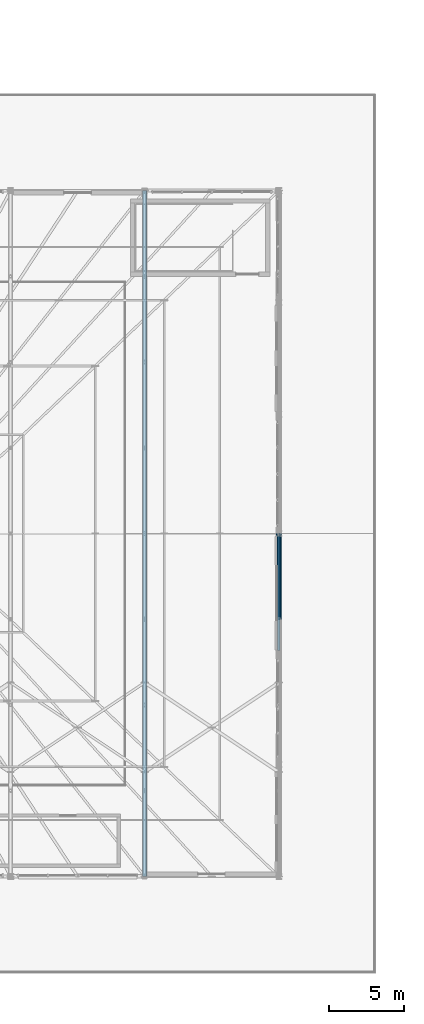
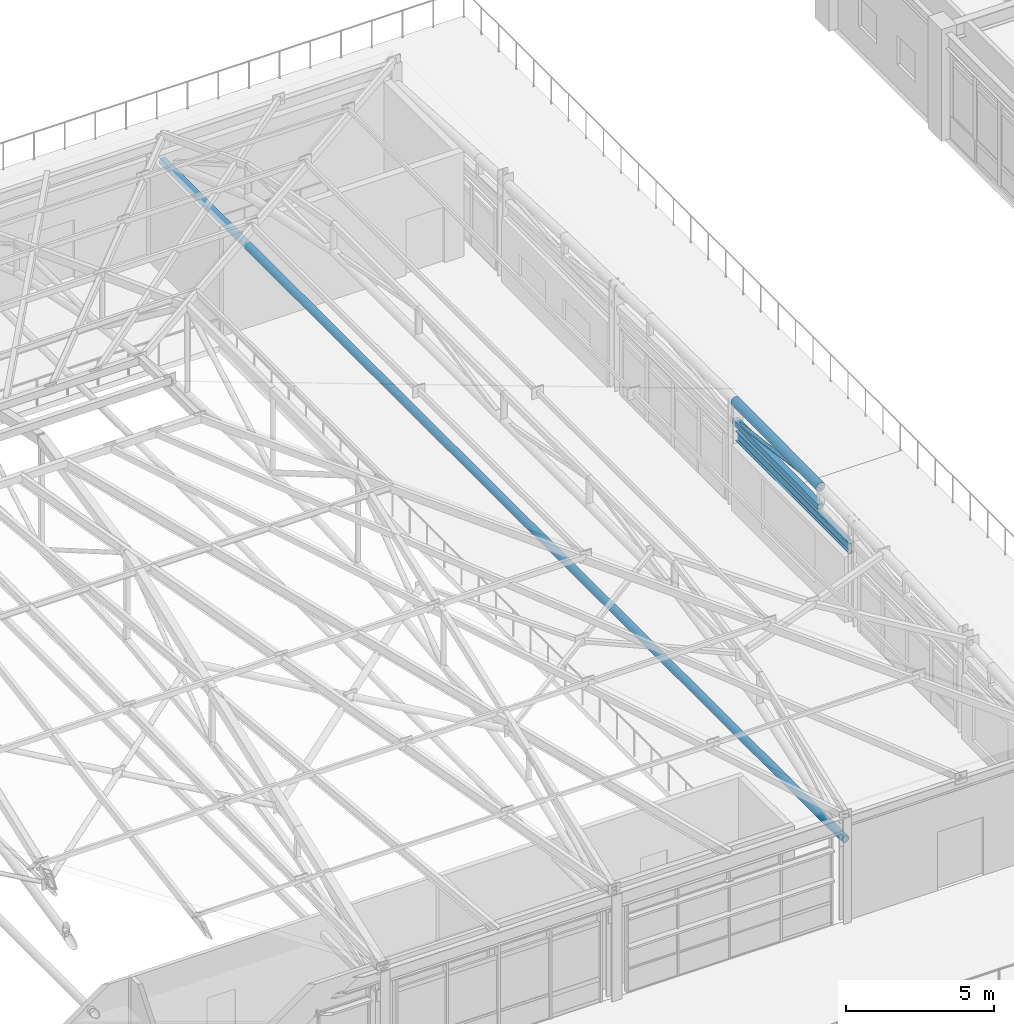
# One storey, part 48 of 168: 3 members, 2 beams.
"""IFC4 building model written with IfcOpenShell, lengths in metres."""

from ifc_helpers import new_model, si_unit, direction, frame, origin, origin_2d, place, context, subcontext, project, spatial, hollow_rectangle, hollow_circle, i_section, extrude, material, material_profile, profile_set, type_object, element, save


model = new_model("IFC4")

# Units and contexts
model_context = context("Model", 3, precision=1e-05, world=origin(), true_north=direction((0.0, 1.0)))
body_context = subcontext(model_context, "Body", "Model", "MODEL_VIEW")
ifc_project = project(units=[si_unit("LENGTHUNIT", "METRE"), si_unit("AREAUNIT", "SQUARE_METRE"), si_unit("VOLUMEUNIT", "CUBIC_METRE"), si_unit("PLANEANGLEUNIT", "RADIAN"), si_unit("MASSUNIT", "GRAM", prefix="KILO"), si_unit("THERMODYNAMICTEMPERATUREUNIT", "KELVIN"), si_unit("POWERUNIT", "WATT")], contexts=[model_context])

# Site, building, storey
site_placement = place(None, origin())
site = spatial("IfcSite", under=ifc_project, at=site_placement, CompositionType="ELEMENT")
building_placement = place(site_placement, origin())
building = spatial("IfcBuilding", under=site, at=building_placement, Name="Tepalcoro Natatorium and Aquatics Centre", CompositionType="ELEMENT")
storey_placement = place(building_placement, frame((0.0, 0.0, 10.199951171875)))
storey = spatial("IfcBuildingStorey", under=building, at=storey_placement, Name="L02", CompositionType="ELEMENT", Elevation=10.199951171875)

# Beam
ifc_material_1 = material(Name="Terracotta Painted Hollow Steel ASTM A500 Grade C (Fy 345 MPa)", Category="masonry")
ifc_material_profile_1 = material_profile(ifc_material_1, hollow_circle(Radius=0.177978515625, WallThickness=0.01611328125, at=origin_2d()), Name="CHS356X16")
ifc_profile_set_1 = profile_set([ifc_material_profile_1], Name="Terracotta Painted Hollow Steel ASTM A500 Grade C (Fy 345 MPa)")
beam_type_1 = type_object("IfcBeamType", Name="AC_CHS356x16", PredefinedType="USERDEFINED", material=ifc_profile_set_1)
beam_1_placement = place(storey_placement, frame((125.0, 30.25, 4.2470703125), z_axis=(0.0, 0.999957556984, 0.009213263836), x_axis=(-1.0, 0.0, 0.0)))
element("IfcBeam", 1, at=beam_1_placement, inside=storey, type_object=beam_type_1, Name="V1 Gable Arched Truss Top Chord 9", ObjectType="ARCH CHORD", PredefinedType="USERDEFINED", context=body_context, shape_type="SweptSolid", body=[
    extrude(hollow_circle(Radius=0.177978515625, WallThickness=0.01611328125, at=origin_2d()), origin(), (0.0, 0.0, 1.0), 5.750244140625),
])

# Members
ifc_material_profile_2 = material_profile(ifc_material_1, hollow_circle(Radius=0.14892578125, WallThickness=0.01611328125, at=origin_2d()), Name="CHS298X16")
ifc_profile_set_2 = profile_set([ifc_material_profile_2], Name="Terracotta Painted Hollow Steel ASTM A500 Grade C (Fy 345 MPa)")
member_type_1 = type_object("IfcMemberType", Name="MB_AT_CHS298x16", PredefinedType="USERDEFINED", material=ifc_profile_set_2)
member_1_placement = place(storey_placement, frame((116.0, 13.0, 3.375), z_axis=(0.0, 1.0, 0.0), x_axis=(-1.0, 0.0, 0.0)))
element("IfcMember", 2, at=member_1_placement, inside=storey, type_object=member_type_1, Name="V1 Tied-Arch Tension Tie 8", ObjectType="ARCH TIE", PredefinedType="USERDEFINED", context=body_context, shape_type="SweptSolid", body=[
    extrude(hollow_circle(Radius=0.14892578125, WallThickness=0.01611328125, at=origin_2d()), origin(), (0.0, 0.0, 1.0), 46.0),
])
ifc_material_profile_3 = material_profile(ifc_material_1, hollow_rectangle(XDim=0.219970703125, YDim=0.219970703125, WallThickness=0.011962890625, at=origin_2d()), Name="HSS220X220X12")
ifc_profile_set_3 = profile_set([ifc_material_profile_3], Name="Terracotta Painted Hollow Steel ASTM A500 Grade C (Fy 345 MPa)")
member_type_2 = type_object("IfcMemberType", Name="MB_CH_HSS220x220x12", PredefinedType="CHORD", material=ifc_profile_set_3)
member_2_placement = place(storey_placement, frame((125.0, 30.25, 3.456298828125), z_axis=(0.0, 0.999971119702, 0.007599984308), x_axis=(-1.0, 0.0, 0.0)))
element("IfcMember", 3, at=member_2_placement, inside=storey, type_object=member_type_2, Name="V1 Gable Arched Truss Bottom Chord 9", PredefinedType="CHORD", context=body_context, shape_type="SweptSolid", body=[
    extrude(hollow_rectangle(XDim=0.219970703125, YDim=0.219970703125, WallThickness=0.011962890625, at=origin_2d()), origin(), (0.0, 0.0, 1.0), 5.750244140625),
])
ifc_material_profile_4 = material_profile(ifc_material_1, hollow_circle(Radius=0.070068359375, WallThickness=0.008056640625, at=origin_2d()), Name="CHS140X8")
ifc_profile_set_4 = profile_set([ifc_material_profile_4], Name="Terracotta Painted Hollow Steel ASTM A500 Grade C (Fy 345 MPa)")
member_type_3 = type_object("IfcMemberType", Name="MB_ST_CHS140x8", PredefinedType="STRUT", material=ifc_profile_set_4)
member_3_placement = place(storey_placement, frame((125.0, 30.25, 4.2470703125), z_axis=(0.0, 0.991665088265, -0.128842356067), x_axis=(-1.0, 0.0, 0.0)))
element("IfcMember", 4, at=member_3_placement, inside=storey, type_object=member_type_3, Name="V1 Arched Truss Web Diagonal 9", PredefinedType="STRUT", context=body_context, shape_type="SweptSolid", body=[
    extrude(hollow_circle(Radius=0.070068359375, WallThickness=0.008056640625, at=origin_2d()), origin(), (0.0, 0.0, 1.0), 5.79833984375),
])

# Beam
ifc_material_2 = material(Name="Steel ASTM A992 Grade 50 (Fy 345 MPa)", Category="steel")
ifc_material_profile_5 = material_profile(ifc_material_2, i_section(OverallWidth=0.179931640625, OverallDepth=0.4130859375, WebThickness=0.010009765625, FlangeThickness=0.01611328125, FilletRadius=0.013916015625, at=origin_2d()), Name="W16X50")
ifc_profile_set_5 = profile_set([ifc_material_profile_5], Name="Steel ASTM A992 Grade 50 (Fy 345 MPa)")
beam_type_2 = type_object("IfcBeamType", Name="SP_HSS300x200x12", PredefinedType="SPANDREL", material=ifc_profile_set_5)
beam_2_placement = place(storey_placement, frame((125.0, 28.156982421875, 2.99853515625), z_axis=(0.0, 1.0, 0.0), x_axis=(-1.0, 0.0, 0.0)))
element("IfcBeam", 5, at=beam_2_placement, inside=storey, type_object=beam_type_2, Name="V1 L02 Grid Girder Y", PredefinedType="SPANDREL", context=body_context, shape_type="SweptSolid", body=[
    extrude(i_section(OverallWidth=0.179931640625, OverallDepth=0.4130859375, WebThickness=0.010009765625, FlangeThickness=0.01611328125, FilletRadius=0.013916015625, at=origin_2d()), origin(), (0.0, 0.0, 1.0), 7.68603515625),
])

save(model, "model.ifc")
